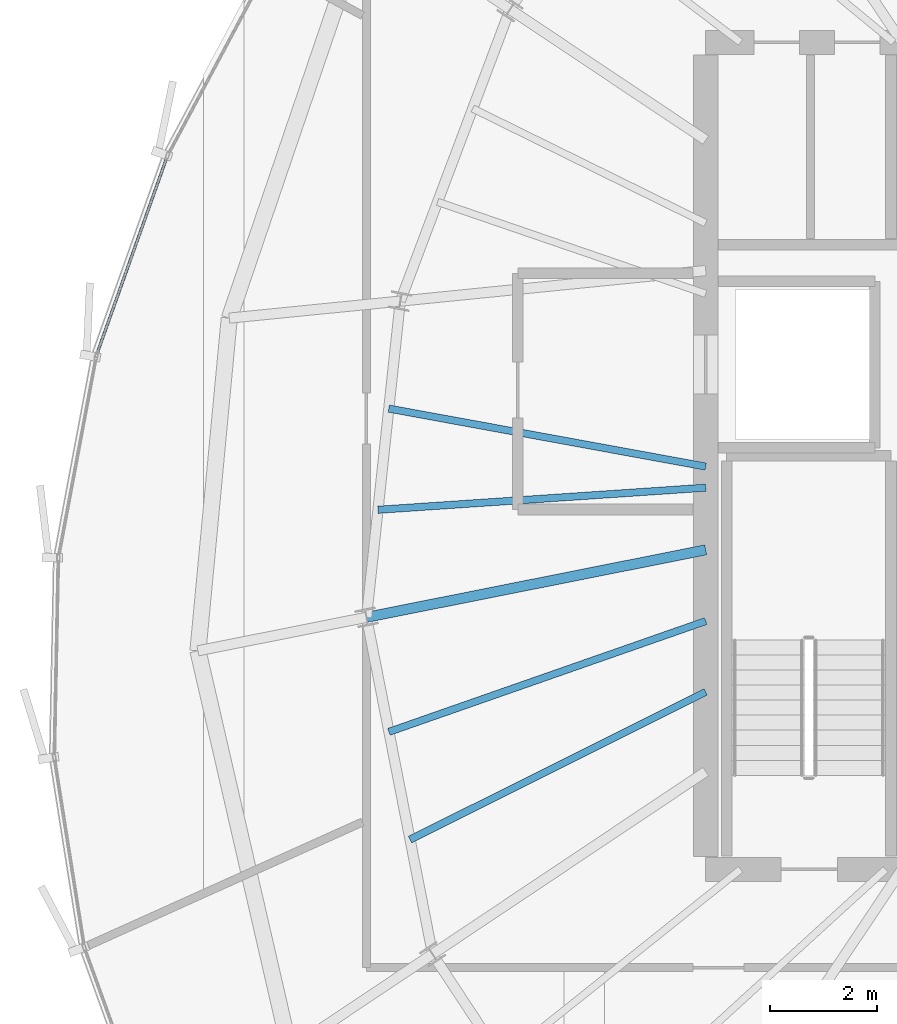
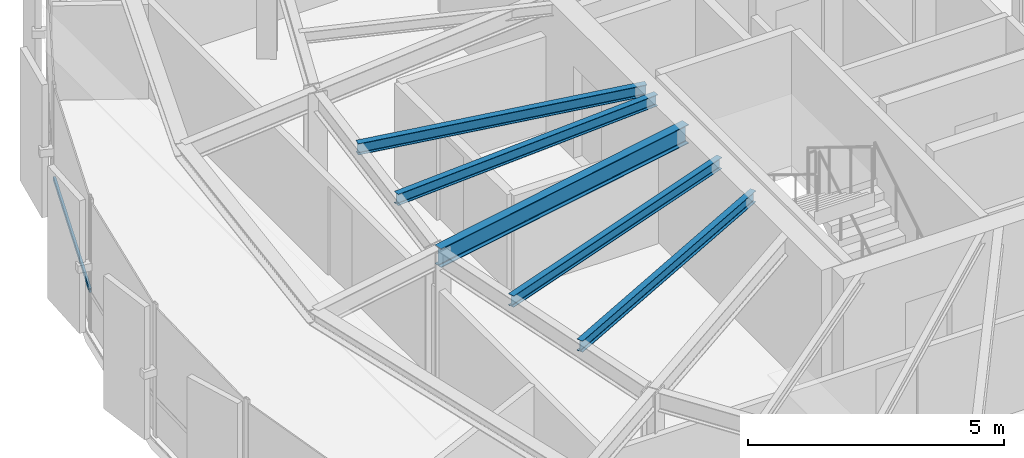
# One storey, part 10 of 33: 5 beams, 1 member, 1 element without a shape of its own.
"""IFC4 building model written with IfcOpenShell, lengths in metres."""

from ifc_helpers import new_model, si_unit, direction, frame, origin, origin_2d, place, context, subcontext, project, spatial, hollow_rectangle, i_section, extrude, source, transform, mapped, material, layer, layer_set, material_profile, profile_set, type_object, element, aggregate, save


model = new_model("IFC4")

# Units and contexts
model_context = context("Model", 3, precision=1e-05, world=origin(), true_north=direction((0.0, 1.0)))
body_context = subcontext(model_context, "Body", "Model", "MODEL_VIEW")
ifc_project = project(units=[si_unit("LENGTHUNIT", "METRE"), si_unit("AREAUNIT", "SQUARE_METRE"), si_unit("VOLUMEUNIT", "CUBIC_METRE"), si_unit("PLANEANGLEUNIT", "RADIAN"), si_unit("MASSUNIT", "GRAM", prefix="KILO"), si_unit("THERMODYNAMICTEMPERATUREUNIT", "KELVIN")], contexts=[model_context])

# Site, building, storey
site_placement = place(None, origin())
site = spatial("IfcSite", under=ifc_project, at=site_placement, CompositionType="ELEMENT")
building_placement = place(site_placement, origin())
building = spatial("IfcBuilding", under=site, at=building_placement, Name="Kethvar Cultural Tower", CompositionType="ELEMENT")
storey_placement = place(building_placement, frame((0.0, 0.0, 235.300048828125)))
storey = spatial("IfcBuildingStorey", under=building, at=storey_placement, Name="L61", CompositionType="ELEMENT", Elevation=235.300048828125)

# Beams
ifc_material_1 = material(Name="Steel S355J2", Category="steel")
ifc_material_profile_1 = material_profile(ifc_material_1, i_section(OverallWidth=0.18994140625, OverallDepth=0.449951171875, WebThickness=0.009521484375, FlangeThickness=0.0146484375, FilletRadius=0.02099609375, at=origin_2d()), Name="Steel S355J2 — IPE450")
ifc_profile_set_1 = profile_set([ifc_material_profile_1], Name="Steel S355J2 — IPE450")
beam_type_1 = type_object("IfcBeamType", Name="BM-IPE450", PredefinedType="BEAM", material=ifc_profile_set_1)
shared_shape_1 = source(origin(), body_context, "Body", "SweptSolid", [
    extrude(i_section(OverallWidth=0.18994140625, OverallDepth=0.449951171875, WebThickness=0.009521484375, FlangeThickness=0.0146484375, FilletRadius=0.02099609375, at=origin_2d()), origin(), (0.0, 0.0, 1.0), 6.440673828125),
])
beam_1_placement = place(storey_placement, frame((38.0, 26.049560546875, 2.98291015625), z_axis=(-0.980782804096, -0.195102770839, 0.0), x_axis=(0.195102770839, -0.980782804096, 0.0)))
element("IfcBeam", 1, at=beam_1_placement, inside=storey, type_object=beam_type_1, Name="L61 Primary Radial Beam RB-09", PredefinedType="BEAM", context=body_context, shape_type="MappedRepresentation", body=[
    mapped(shared_shape_1, transform((0.0, 0.0, 0.0), scale=1.0)),
])
ifc_material_profile_2 = material_profile(ifc_material_1, i_section(OverallWidth=0.135009765625, OverallDepth=0.27001953125, WebThickness=0.006591796875, FlangeThickness=0.01025390625, FilletRadius=0.014892578125, at=origin_2d()), Name="Steel S355J2 — IPE270")
ifc_profile_set_2 = profile_set([ifc_material_profile_2], Name="Steel S355J2 — IPE270")
beam_type_2 = type_object("IfcBeamType", Name="BM-J270", PredefinedType="JOIST", material=ifc_profile_set_2)
shared_shape_2 = source(origin(), body_context, "Body", "SweptSolid", [
    extrude(i_section(OverallWidth=0.135009765625, OverallDepth=0.27001953125, WebThickness=0.006591796875, FlangeThickness=0.01025390625, FilletRadius=0.014892578125, at=origin_2d()), origin(), (0.0, 0.0, 1.0), 5.99951171875),
])
beam_2_placement = place(storey_placement, frame((38.0, 27.60009765625, 3.072998046875), z_axis=(-0.983676616141, 0.179945310742, 0.0), x_axis=(-0.179945310742, -0.983676616141, 0.0)))
element("IfcBeam", 2, at=beam_2_placement, inside=storey, type_object=beam_type_2, Name="L61 Composite Floor Joist J-08A", PredefinedType="JOIST", context=body_context, shape_type="MappedRepresentation", body=[
    mapped(shared_shape_2, transform((0.0, 0.0, 0.0), scale=1.0)),
])
shared_shape_3 = source(origin(), body_context, "Body", "SweptSolid", [
    extrude(i_section(OverallWidth=0.135009765625, OverallDepth=0.27001953125, WebThickness=0.006591796875, FlangeThickness=0.01025390625, FilletRadius=0.014892578125, at=origin_2d()), origin(), (0.0, 0.0, 1.0), 6.116943359375),
])
beam_3_placement = place(storey_placement, frame((38.0, 27.206787109375, 3.072998046875), z_axis=(-0.997733289627, -0.067292516454, 0.0), x_axis=(0.067292516454, -0.997733289627, 0.0)))
element("IfcBeam", 3, at=beam_3_placement, inside=storey, type_object=beam_type_2, Name="L61 Composite Floor Joist J-08B", PredefinedType="JOIST", context=body_context, shape_type="MappedRepresentation", body=[
    mapped(shared_shape_3, transform((0.0, 0.0, 0.0), scale=1.0)),
])
shared_shape_4 = source(origin(), body_context, "Body", "SweptSolid", [
    extrude(i_section(OverallWidth=0.135009765625, OverallDepth=0.27001953125, WebThickness=0.006591796875, FlangeThickness=0.01025390625, FilletRadius=0.014892578125, at=origin_2d()), origin(), (0.0, 0.0, 1.0), 6.248779296875),
])
beam_4_placement = place(storey_placement, frame((38.0, 24.722900390625, 3.072998046875), z_axis=(-0.943960031743, -0.330059780148, 0.0), x_axis=(0.330059780148, -0.943960031743, 0.0)))
element("IfcBeam", 4, at=beam_4_placement, inside=storey, type_object=beam_type_2, Name="L61 Composite Floor Joist J-09A", PredefinedType="JOIST", context=body_context, shape_type="MappedRepresentation", body=[
    mapped(shared_shape_4, transform((0.0, 0.0, 0.0), scale=1.0)),
])
shared_shape_5 = source(origin(), body_context, "Body", "SweptSolid", [
    extrude(i_section(OverallWidth=0.135009765625, OverallDepth=0.27001953125, WebThickness=0.006591796875, FlangeThickness=0.01025390625, FilletRadius=0.014892578125, at=origin_2d()), origin(), (0.0, 0.0, 1.0), 6.154052734375),
])
beam_5_placement = place(storey_placement, frame((38.0, 23.40380859375, 3.072998046875), z_axis=(-0.89458581954, -0.446896197655, 0.0), x_axis=(0.446896197655, -0.89458581954, 0.0)))
element("IfcBeam", 5, at=beam_5_placement, inside=storey, type_object=beam_type_2, Name="L61 Composite Floor Joist J-09B", PredefinedType="JOIST", context=body_context, shape_type="MappedRepresentation", body=[
    mapped(shared_shape_5, transform((0.0, 0.0, 0.0), scale=1.0)),
])

# Curtain wall, member
ifc_material_2 = material(Name="Aluminium 6063-T6", Category="aluminium")
ifc_layer = layer(ifc_material_2, 0.179931640625, Name="Aluminium 6063-T6", Category="aluminium")
ifc_layer_set = layer_set([ifc_layer], Name="Aluminium 6063-T6 (180 mm)")
curtain_wall_type = type_object("IfcCurtainWallType", Name="CW-SYS-05-Z56", PredefinedType="NOTDEFINED", material=ifc_layer_set)
curtain_wall_placement = place(storey_placement, origin())
curtain_wall = element("IfcCurtainWall", 6, at=curtain_wall_placement, inside=storey, type_object=curtain_wall_type, Name="L61 Curtain Wall Run 02", PredefinedType="NOTDEFINED")
ifc_material_profile_3 = material_profile(ifc_material_2, hollow_rectangle(XDim=0.050048828125, YDim=0.10009765625, WallThickness=0.00390625, at=origin_2d()), Name="Aluminium 6063-T6 — RHS100x50x4")
ifc_profile_set_3 = profile_set([ifc_material_profile_3], Name="Aluminium 6063-T6 — RHS100x50x4")
member_type = type_object("IfcMemberType", Name="CW-SYS-05-Z56-TRN", PredefinedType="USERDEFINED", material=ifc_profile_set_3)
shared_shape_6 = source(origin(), body_context, "Body", "SweptSolid", [
    extrude(hollow_rectangle(XDim=0.050048828125, YDim=0.10009765625, WallThickness=0.00390625, at=origin_2d()), origin(), (0.0, 0.0, 1.0), 3.880859375),
])
member_placement = place(storey_placement, frame((27.96435546875, 33.353759765625, 0.949951171875), z_axis=(-0.335112674251, -0.942178059369, 0.0), x_axis=(0.942178059369, -0.335112674251, 0.0)))
member = element("IfcMember", 7, at=member_placement, type_object=member_type, Name="CW-L61-R02 Transom 6", ObjectType="TRANSOM", PredefinedType="USERDEFINED", context=body_context, shape_type="MappedRepresentation", body=[
    mapped(shared_shape_6, transform((0.0, 0.0, 0.0), scale=1.0)),
])
aggregate(curtain_wall, [member])

save(model, "model.ifc")
